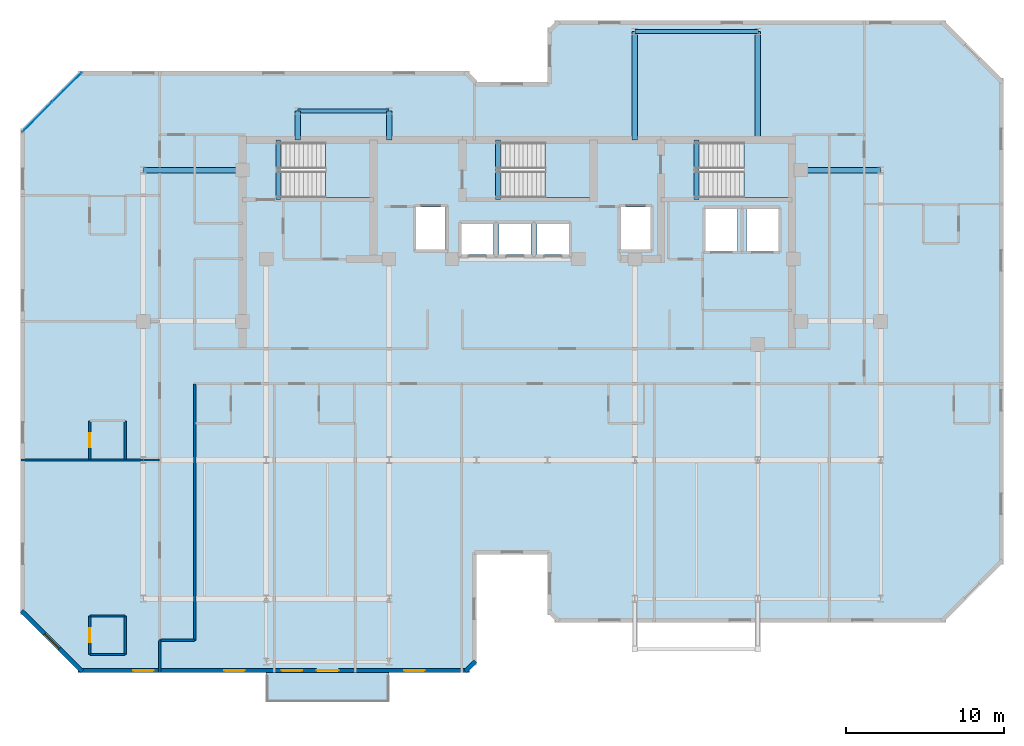
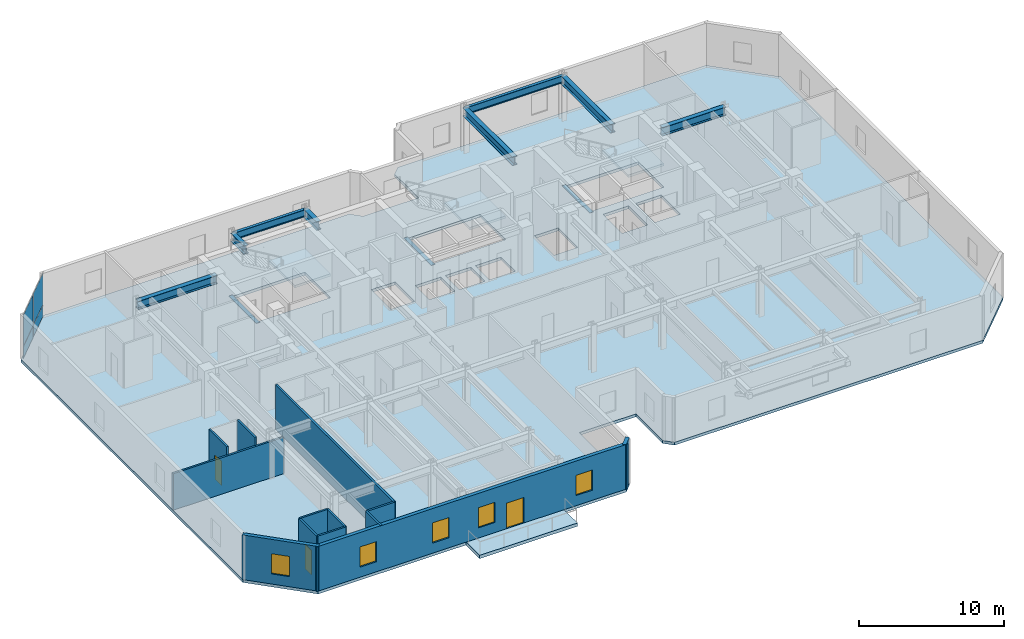
# One storey, part 3 of 10: 13 walls, 11 beams, 5 slabs, 5 windows, 4 plates, 3 doors, 8 openings, 4 elements without a shape of their own.
"""IFC4 building model written with IfcOpenShell, lengths in metres."""

from ifc_helpers import new_model, si_unit, direction, frame, frame_2d, origin, origin_2d, place, context, subcontext, project, spatial, polyline, rectangle, i_section, outline, extrude, material, layer, layer_set, material_profile, profile_set, type_object, element, fill, aggregate, save


model = new_model("IFC4")

# Units and contexts
model_context = context("Model", 3, precision=1e-05, world=origin(), true_north=direction((0.0, 1.0)))
body_context = subcontext(model_context, "Body", "Model", "MODEL_VIEW")
ifc_project = project(units=[si_unit("LENGTHUNIT", "METRE"), si_unit("AREAUNIT", "SQUARE_METRE"), si_unit("VOLUMEUNIT", "CUBIC_METRE"), si_unit("PLANEANGLEUNIT", "RADIAN"), si_unit("MASSUNIT", "GRAM", prefix="KILO")], contexts=[model_context])

# Site, building, storey
site_placement = place(None, origin())
site = spatial("IfcSite", under=ifc_project, at=site_placement, CompositionType="ELEMENT")
building_placement = place(site_placement, origin())
building = spatial("IfcBuilding", under=site, at=building_placement, Name="Kestravale Grand Hotel", CompositionType="ELEMENT")
storey_placement = place(building_placement, frame((0.0, 0.0, 281.39990234375)))
storey = spatial("IfcBuildingStorey", under=building, at=storey_placement, Name="L70", CompositionType="ELEMENT", Elevation=281.39990234375)

# Beams
ifc_material_1 = material(Name="Concrete f'c 45 MPa", Category="concrete")
ifc_material_profile_1 = material_profile(ifc_material_1, rectangle(XDim=0.300048828125, YDim=0.39990234375, at=origin_2d()))
ifc_profile_set_1 = profile_set([ifc_material_profile_1], Name="Concrete f'c 45 MPa")
beam_type_1 = type_object("IfcBeamType", Name="B-FLR-LNT400", PredefinedType="LINTEL", material=ifc_profile_set_1)
for number, where, z_axis, x_axis, name in (
    (1, (24.159912109375, 36.52001953125, -0.199951171875), (0.0, 1.0, 0.0), (-1.0, 0.0, 0.0), "L70 ST1 flight bottom header beam"),
    (2, (38.110107421875, 36.52001953125, -0.199951171875), (0.0, 1.0, 0.0), (-1.0, 0.0, 0.0), "L70 ST2 flight bottom header beam"),
    (3, (50.7099609375, 36.52001953125, -0.199951171875), (0.0, 1.0, 0.0), (-1.0, 0.0, 0.0), "L70 ST3 flight bottom header beam"),
):
    element("IfcBeam", number, at=place(storey_placement, frame(where, z_axis=z_axis, x_axis=x_axis)), inside=storey, type_object=beam_type_1, Name=name, PredefinedType="LINTEL", context=body_context, shape_type="SweptSolid", body=[
        extrude(rectangle(XDim=0.300048828125, YDim=0.39990234375, at=origin_2d()), origin(), (0.0, 0.0, 1.0), 3.800048828125),
    ])
ifc_material_2 = material(Name="Steel ASTM A992 Grade 50", Category="steel")
ifc_material_profile_2 = material_profile(ifc_material_2, i_section(OverallWidth=0.22900390625, OverallDepth=0.612060546875, WebThickness=0.011962890625, FlangeThickness=0.01953125, FilletRadius=0.019287109375, at=origin_2d()))
ifc_profile_set_2 = profile_set([ifc_material_profile_2], Name="Steel ASTM A992 Grade 50")
beam_type_2 = type_object("IfcBeamType", Name="B-FLR-W24B", PredefinedType="SPANDREL", material=ifc_profile_set_2)
beam_1_placement = place(storey_placement, frame((46.800048828125, 47.199951171875, 3.4541015625), z_axis=(1.0, 0.0, 0.0), x_axis=(0.0, 1.0, 0.0)))
element("IfcBeam", 4, at=beam_1_placement, inside=storey, type_object=beam_type_2, Name="L70 spandrel G:8-9", PredefinedType="SPANDREL", context=body_context, shape_type="SweptSolid", body=[
    extrude(i_section(OverallWidth=0.22900390625, OverallDepth=0.612060546875, WebThickness=0.011962890625, FlangeThickness=0.01953125, FilletRadius=0.019287109375, at=origin_2d()), origin(), (0.0, 0.0, 1.0), 7.800048828125),
])
beam_2_placement = place(storey_placement, frame((25.39990234375, 42.14990234375, 3.4541015625), z_axis=(1.0, 0.0, 0.0), x_axis=(0.0, 1.0, 0.0)))
element("IfcBeam", 5, at=beam_2_placement, inside=storey, type_object=beam_type_2, Name="L70 perimeter tie spandrel FN:4-5", PredefinedType="SPANDREL", context=body_context, shape_type="SweptSolid", body=[
    extrude(i_section(OverallWidth=0.22900390625, OverallDepth=0.612060546875, WebThickness=0.011962890625, FlangeThickness=0.01953125, FilletRadius=0.019287109375, at=origin_2d()), origin(), (0.0, 0.0, 1.0), 5.800048828125),
])
ifc_material_3 = material(Name="Steel ASTM A992 Grade 50", Category="steel")
ifc_material_profile_3 = material_profile(ifc_material_3, i_section(OverallWidth=0.35595703125, OverallDepth=0.696044921875, WebThickness=0.015380859375, FlangeThickness=0.02490234375, FilletRadius=0.021240234375, at=origin_2d()))
ifc_profile_set_3 = profile_set([ifc_material_profile_3], Name="Steel ASTM A992 Grade 50")
beam_type_3 = type_object("IfcBeamType", Name="B-GRD-W27", PredefinedType="BEAM", material=ifc_profile_set_3)
beam_3_placement = place(storey_placement, frame((15.60009765625, 38.39990234375, 3.412109375), z_axis=(1.0, 0.0, 0.0), x_axis=(0.0, 1.0, 0.0)))
element("IfcBeam", 6, at=beam_3_placement, inside=storey, type_object=beam_type_3, Name="L70 girder F:3-CW", PredefinedType="BEAM", context=body_context, shape_type="SweptSolid", body=[
    extrude(i_section(OverallWidth=0.35595703125, OverallDepth=0.696044921875, WebThickness=0.015380859375, FlangeThickness=0.02490234375, FilletRadius=0.021240234375, at=origin_2d()), origin(), (0.0, 0.0, 1.0), 6.2998046875),
])
beam_4_placement = place(storey_placement, frame((57.35009765625, 38.39990234375, 3.412109375), z_axis=(1.0, 0.0, 0.0), x_axis=(0.0, 1.0, 0.0)))
element("IfcBeam", 7, at=beam_4_placement, inside=storey, type_object=beam_type_3, Name="L70 girder F:CE-10", PredefinedType="BEAM", context=body_context, shape_type="SweptSolid", body=[
    extrude(i_section(OverallWidth=0.35595703125, OverallDepth=0.696044921875, WebThickness=0.015380859375, FlangeThickness=0.02490234375, FilletRadius=0.021240234375, at=origin_2d()), origin(), (0.0, 0.0, 1.0), 5.0498046875),
])
for number, where, z_axis, x_axis, name in (
    (8, (25.39990234375, 40.320068359375, 3.412109375), (0.0, 1.0, 0.0), (-1.0, 0.0, 0.0), "L70 north wing tie girder 4:CN-FN"),
    (9, (31.199951171875, 40.320068359375, 3.412109375), (0.0, 1.0, 0.0), (-1.0, 0.0, 0.0), "L70 north wing tie girder 5:CN-FN"),
):
    element("IfcBeam", number, at=place(storey_placement, frame(where, z_axis=z_axis, x_axis=x_axis)), inside=storey, type_object=beam_type_3, Name=name, PredefinedType="BEAM", context=body_context, shape_type="SweptSolid", body=[
        extrude(i_section(OverallWidth=0.35595703125, OverallDepth=0.696044921875, WebThickness=0.015380859375, FlangeThickness=0.02490234375, FilletRadius=0.021240234375, at=origin_2d()), origin(), (0.0, 0.0, 1.0), 1.829833984375),
    ])
for number, where, z_axis, x_axis, name in (
    (10, (46.800048828125, 40.320068359375, 3.412109375), (0.0, 1.0, 0.0), (-1.0, 0.0, 0.0), "L70 north wing tie girder 8:CN-G"),
    (11, (54.60009765625, 40.320068359375, 3.412109375), (0.0, 1.0, 0.0), (-1.0, 0.0, 0.0), "L70 north wing tie girder 9:CN-G"),
):
    element("IfcBeam", number, at=place(storey_placement, frame(where, z_axis=z_axis, x_axis=x_axis)), inside=storey, type_object=beam_type_3, Name=name, PredefinedType="BEAM", context=body_context, shape_type="SweptSolid", body=[
        extrude(i_section(OverallWidth=0.35595703125, OverallDepth=0.696044921875, WebThickness=0.015380859375, FlangeThickness=0.02490234375, FilletRadius=0.021240234375, at=origin_2d()), origin(), (0.0, 0.0, 1.0), 6.8798828125),
    ])

# Curtain wall, plates
ifc_material_4 = material(Name="Thermally broken champagne-bronze aluminium and low-E glazing", Category="aluminium")
ifc_layer_1 = layer(ifc_material_4, 0.179931640625)
ifc_layer_set_1 = layer_set([ifc_layer_1], Name="CW-Z4")
curtain_wall_type = type_object("IfcCurtainWallType", Name="CW-Z4", PredefinedType="NOTDEFINED", material=ifc_layer_set_1)
curtain_wall_placement = place(storey_placement, origin())
curtain_wall = element("IfcCurtainWall", 12, at=curtain_wall_placement, inside=storey, type_object=curtain_wall_type, Name="L70 unitised curtain wall 18", PredefinedType="NOTDEFINED")
ifc_material_5 = material(Name="Insulated clear low-E double glazing IGU", Category="glass")
ifc_layer_2 = layer(ifc_material_5, 0.028076171875)
ifc_layer_set_2 = layer_set([ifc_layer_2], Name="CW-PNL-28")
plate_type = type_object("IfcPlateType", Name="CW-PNL-28", PredefinedType="CURTAIN_PANEL", material=ifc_layer_set_2)
plate_1_placement = place(storey_placement, frame((10.74462890625, 43.646728515625, 0.06494140625), z_axis=(0.0, 0.0, 1.0), x_axis=(-0.707106781187, -0.707106781187, 0.0)))
plate_1 = element("IfcPlate", 13, at=plate_1_placement, type_object=plate_type, Name="CW-Z4 panel 1.1", PredefinedType="CURTAIN_PANEL", context=body_context, shape_type="SweptSolid", body=[
    extrude(rectangle(XDim=2.609619140625, YDim=0.028076171875, at=origin_2d()), origin(), (0.0, 0.0, 1.0), 0.952392578125),
])
plate_2_placement = place(storey_placement, frame((10.74462890625, 43.646728515625, 1.08251953125), z_axis=(0.0, 0.0, 1.0), x_axis=(-0.707106781187, -0.707106781187, 0.0)))
plate_2 = element("IfcPlate", 14, at=plate_2_placement, type_object=plate_type, Name="CW-Z4 panel 1.2", PredefinedType="CURTAIN_PANEL", context=body_context, shape_type="SweptSolid", body=[
    extrude(rectangle(XDim=2.609619140625, YDim=0.028076171875, at=origin_2d()), origin(), (0.0, 0.0, 1.0), 2.612548828125),
])
plate_3_placement = place(storey_placement, frame((8.853271484375, 41.75537109375, 0.06494140625), z_axis=(0.0, 0.0, 1.0), x_axis=(-0.707106781187, -0.707106781187, 0.0)))
plate_3 = element("IfcPlate", 15, at=plate_3_placement, type_object=plate_type, Name="CW-Z4 panel 2.1", PredefinedType="CURTAIN_PANEL", context=body_context, shape_type="SweptSolid", body=[
    extrude(rectangle(XDim=2.609619140625, YDim=0.028076171875, at=origin_2d()), origin(), (0.0, 0.0, 1.0), 0.952392578125),
])
plate_4_placement = place(storey_placement, frame((8.853271484375, 41.75537109375, 1.08251953125), z_axis=(0.0, 0.0, 1.0), x_axis=(-0.707106781187, -0.707106781187, 0.0)))
plate_4 = element("IfcPlate", 16, at=plate_4_placement, type_object=plate_type, Name="CW-Z4 panel 2.2", PredefinedType="CURTAIN_PANEL", context=body_context, shape_type="SweptSolid", body=[
    extrude(rectangle(XDim=2.609619140625, YDim=0.028076171875, at=origin_2d()), origin(), (0.0, 0.0, 1.0), 2.612548828125),
])
aggregate(curtain_wall, [plate_1, plate_2, plate_3, plate_4])

# Slab
ifc_material_6 = material(Name="Concrete f'c 45 MPa", Category="concrete")
ifc_layer_3 = layer(ifc_material_6, 0.27001953125)
ifc_layer_set_3 = layer_set([ifc_layer_3], Name="ES-TERR-270")
slab_type_1 = type_object("IfcSlabType", Name="ES-TERR-270", PredefinedType="FLOOR", material=ifc_layer_set_3)
slab_1_placement = place(storey_placement, frame((0.0, 0.0, -0.27001953125)))
element("IfcSlab", 17, at=slab_1_placement, inside=storey, type_object=slab_type_1, Name="L70 spiralling planted garden terrace", PredefinedType="FLOOR", context=body_context, shape_type="SweptSolid", body=[
    extrude(outline(polyline([(23.39990234375, 4.64990234375), (31.199951171875, 4.64990234375), (31.199951171875, 6.5), (23.39990234375, 6.5), (23.39990234375, 4.64990234375)])), origin(), (0.0, 0.0, 1.0), 0.27001953125),
])

# Stair, slab
ifc_material_7 = material(Name="Concrete f'c 45 MPa", Category="concrete")
stair_type = type_object("IfcStairType", Name="ST-CORE-400", PredefinedType="HALF_TURN_STAIR", material=ifc_material_7)
stair_1_placement = place(storey_placement, origin())
stair_1 = element("IfcStair", 18, at=stair_1_placement, inside=storey, type_object=stair_type, Name="L70 ST-1", PredefinedType="HALF_TURN_STAIR")
ifc_material_8 = material(Name="Concrete f'c 45 MPa", Category="concrete")
ifc_layer_4 = layer(ifc_material_8, 0.199951171875)
ifc_layer_set_4 = layer_set([ifc_layer_4], Name="SLB-ST-LND200")
slab_type_2 = type_object("IfcSlabType", Name="SLB-ST-LND200", PredefinedType="LANDING", material=ifc_layer_set_4)
slab_2_placement = place(storey_placement, frame((0.0, 0.0, 1.800048828125)))
slab_2 = element("IfcSlab", 19, at=slab_2_placement, type_object=slab_type_2, Name="ST-1 landing 1", PredefinedType="LANDING", context=body_context, shape_type="SweptSolid", body=[
    extrude(outline(polyline([(27.159912109375, 36.64990234375), (30.0, 36.64990234375), (30.0, 40.159912109375), (27.159912109375, 40.159912109375), (27.159912109375, 36.64990234375)])), origin(), (0.0, 0.0, 1.0), 0.199951171875),
])
aggregate(stair_1, [slab_2])

stair_2_placement = place(storey_placement, origin())
stair_2 = element("IfcStair", 20, at=stair_2_placement, inside=storey, type_object=stair_type, Name="L70 ST-2", PredefinedType="HALF_TURN_STAIR")
slab_3_placement = place(storey_placement, frame((0.0, 0.0, 1.800048828125)))
slab_3 = element("IfcSlab", 21, at=slab_3_placement, type_object=slab_type_2, Name="ST-2 landing 1", PredefinedType="LANDING", context=body_context, shape_type="SweptSolid", body=[
    extrude(outline(polyline([(41.110107421875, 36.64990234375), (43.949951171875, 36.64990234375), (43.949951171875, 40.159912109375), (41.110107421875, 40.159912109375), (41.110107421875, 36.64990234375)])), origin(), (0.0, 0.0, 1.0), 0.199951171875),
])
aggregate(stair_2, [slab_3])

stair_3_placement = place(storey_placement, origin())
stair_3 = element("IfcStair", 22, at=stair_3_placement, inside=storey, type_object=stair_type, Name="L70 ST-3", PredefinedType="HALF_TURN_STAIR")
slab_4_placement = place(storey_placement, frame((0.0, 0.0, 1.800048828125)))
slab_4 = element("IfcSlab", 23, at=slab_4_placement, type_object=slab_type_2, Name="ST-3 landing 1", PredefinedType="LANDING", context=body_context, shape_type="SweptSolid", body=[
    extrude(outline(polyline([(53.7099609375, 36.64990234375), (56.550048828125, 36.64990234375), (56.550048828125, 40.159912109375), (53.7099609375, 40.159912109375), (53.7099609375, 36.64990234375)])), origin(), (0.0, 0.0, 1.0), 0.199951171875),
])
aggregate(stair_3, [slab_4])

# Slab
ifc_material_9 = material(Name="Concrete f'c 45 MPa", Category="concrete")
ifc_layer_5 = layer(ifc_material_9, 0.239990234375)
ifc_layer_set_5 = layer_set([ifc_layer_5], Name="SS-FLR-240")
slab_type_3 = type_object("IfcSlabType", Name="SS-FLR-240", PredefinedType="FLOOR", material=ifc_layer_set_5)
slab_5_placement = place(storey_placement, frame((0.0, 0.0, -0.239990234375)))
element("IfcSlab", 24, at=slab_5_placement, inside=storey, type_object=slab_type_3, Name="L70 structural floor slab", PredefinedType="FLOOR", context=body_context, shape_type="SweptSolid", body=[
    extrude(outline(polyline([(11.60009765625, 6.5), (36.14990234375, 6.5), (36.75, 7.10009765625), (36.75, 14.0), (41.25, 14.0), (41.25, 10.300048828125), (41.85009765625, 9.699951171875), (66.39990234375, 9.699951171875), (70.199951171875, 13.5), (70.199951171875, 44.10009765625), (66.39990234375, 47.89990234375), (41.85009765625, 47.89990234375), (41.25, 47.300048828125), (41.25, 44.0), (36.75, 44.0), (36.75, 44.10009765625), (36.14990234375, 44.699951171875), (11.60009765625, 44.699951171875), (7.800048828125, 40.89990234375), (7.800048828125, 10.300048828125), (11.60009765625, 6.5)]), holes=[polyline([(24.080078125, 36.64990234375), (30.0, 36.64990234375), (30.0, 40.159912109375), (24.080078125, 40.159912109375), (24.080078125, 36.64990234375)]), polyline([(38.030029296875, 36.64990234375), (43.949951171875, 36.64990234375), (43.949951171875, 40.159912109375), (38.030029296875, 40.159912109375), (38.030029296875, 36.64990234375)]), polyline([(50.6298828125, 36.64990234375), (56.550048828125, 36.64990234375), (56.550048828125, 40.159912109375), (50.6298828125, 40.159912109375), (50.6298828125, 36.64990234375)]), polyline([(35.780029296875, 33.030029296875), (37.820068359375, 33.030029296875), (37.820068359375, 34.969970703125), (35.780029296875, 34.969970703125), (35.780029296875, 33.030029296875)]), polyline([(38.179931640625, 33.030029296875), (40.219970703125, 33.030029296875), (40.219970703125, 34.969970703125), (38.179931640625, 34.969970703125), (38.179931640625, 33.030029296875)]), polyline([(40.580078125, 33.030029296875), (42.6201171875, 33.030029296875), (42.6201171875, 34.969970703125), (40.580078125, 34.969970703125), (40.580078125, 33.030029296875)]), polyline([(32.905029296875, 33.35498046875), (34.794921875, 33.35498046875), (34.794921875, 36.044921875), (32.905029296875, 36.044921875), (32.905029296875, 33.35498046875)]), polyline([(45.905029296875, 33.35498046875), (47.794921875, 33.35498046875), (47.794921875, 36.044921875), (45.905029296875, 36.044921875), (45.905029296875, 33.35498046875)]), polyline([(51.280029296875, 33.280029296875), (53.320068359375, 33.280029296875), (53.320068359375, 35.919921875), (51.280029296875, 35.919921875), (51.280029296875, 33.280029296875)]), polyline([(53.8798828125, 33.280029296875), (55.919921875, 33.280029296875), (55.919921875, 35.919921875), (53.8798828125, 35.919921875), (53.8798828125, 33.280029296875)])]), origin(), (0.0, 0.0, 1.0), 0.239990234375),
])

# Wall, openings, door, windows
ifc_material_10 = material(Name="Precast concrete f'c 45 MPa", Category="concrete")
ifc_layer_6 = layer(ifc_material_10, 0.280029296875)
ifc_layer_set_6 = layer_set([ifc_layer_6], Name="EW-PREC-280")
wall_type_1 = type_object("IfcWallType", Name="EW-PREC-280", PredefinedType="SOLIDWALL", material=ifc_layer_set_6)
wall_1_placement = place(storey_placement, frame((11.4599609375, 6.639892578125, 0.0), z_axis=(0.0, 0.0, 1.0), x_axis=(1.0, 0.0, 0.0)))
wall_1 = element("IfcWall", 25, at=wall_1_placement, inside=storey, type_object=wall_type_1, Name="L70 fluted precast facade wall 1", PredefinedType="SOLIDWALL", context=body_context, shape_type="SweptSolid", body=[
    extrude(rectangle(XDim=24.830078125, YDim=0.280029296875, at=frame_2d((12.4150390625, 0.0))), origin(), (0.0, 0.0, 1.0), 3.760009765625),
])
opening_1_placement = place(wall_1_placement, frame((15.139892578125, 0.0, 0.0)))
opening_1 = element("IfcOpeningElement", 26, at=opening_1_placement, cuts=wall_1, Name="Opening D-TERR-1400", PredefinedType="OPENING", context=body_context, shape_type="SweptSolid", body=[
    extrude(rectangle(XDim=1.39990234375, YDim=2.14990234375, at=frame_2d((0.699951171875, 1.074951171875))), frame((0.0, 0.14990234375, 0.0), z_axis=(0.0, -1.0, 0.0), x_axis=(1.0, 0.0, 0.0)), (0.0, 0.0, 1.0), 0.300048828125),
])
opening_2_placement = place(wall_1_placement, frame((3.48828125, 0.0, 0.85009765625)))
opening_2 = element("IfcOpeningElement", 27, at=opening_2_placement, cuts=wall_1, Name="Opening W-GUEST-1300", PredefinedType="OPENING", context=body_context, shape_type="SweptSolid", body=[
    extrude(rectangle(XDim=1.300048828125, YDim=1.699951171875, at=frame_2d((0.64990234375, 0.85009765625))), frame((0.0, 0.14990234375, 0.0), z_axis=(0.0, -1.0, 0.0), x_axis=(1.0, 0.0, 0.0)), (0.0, 0.0, 1.0), 0.300048828125),
])
opening_3_placement = place(wall_1_placement, frame((12.9150390625, 0.0, 0.85009765625)))
opening_3 = element("IfcOpeningElement", 28, at=opening_3_placement, cuts=wall_1, Name="Opening W-GUEST-1300", PredefinedType="OPENING", context=body_context, shape_type="SweptSolid", body=[
    extrude(rectangle(XDim=1.300048828125, YDim=1.699951171875, at=frame_2d((0.64990234375, 0.85009765625))), frame((0.0, 0.14990234375, 0.0), z_axis=(0.0, -1.0, 0.0), x_axis=(1.0, 0.0, 0.0)), (0.0, 0.0, 1.0), 0.300048828125),
])
opening_4_placement = place(wall_1_placement, frame((20.691650390625, 0.0, 0.85009765625)))
opening_4 = element("IfcOpeningElement", 29, at=opening_4_placement, cuts=wall_1, Name="Opening W-GUEST-1300", PredefinedType="OPENING", context=body_context, shape_type="SweptSolid", body=[
    extrude(rectangle(XDim=1.300048828125, YDim=1.699951171875, at=frame_2d((0.64990234375, 0.85009765625))), frame((0.0, 0.14990234375, 0.0), z_axis=(0.0, -1.0, 0.0), x_axis=(1.0, 0.0, 0.0)), (0.0, 0.0, 1.0), 0.300048828125),
])
opening_5_placement = place(wall_1_placement, frame((9.27490234375, 0.0, 0.85009765625)))
opening_5 = element("IfcOpeningElement", 30, at=opening_5_placement, cuts=wall_1, Name="Opening W-GUEST-1300", PredefinedType="OPENING", context=body_context, shape_type="SweptSolid", body=[
    extrude(rectangle(XDim=1.300048828125, YDim=1.699951171875, at=frame_2d((0.64990234375, 0.85009765625))), frame((0.0, 0.14990234375, 0.0), z_axis=(0.0, -1.0, 0.0), x_axis=(1.0, 0.0, 0.0)), (0.0, 0.0, 1.0), 0.300048828125),
])
ifc_material_11 = material(Name="Insulated glazed champagne-bronze aluminium door", Category="aluminium")
door_type_1 = type_object("IfcDoorType", Name="D-TERR-1400", OperationType="NOTDEFINED", PredefinedType="DOOR", material=ifc_material_11)
door_1_placement = place(opening_1_placement, origin())
door_1 = element("IfcDoor", 31, at=door_1_placement, inside=storey, type_object=door_type_1, Name="L70 outdoor garden terrace door", OperationType="DOUBLE_DOOR_SINGLE_SWING", OverallHeight=2.14990234375, OverallWidth=1.39990234375, PredefinedType="DOOR", context=body_context, shape_type="SweptSolid", body=[
    extrude(rectangle(XDim=1.39990234375, YDim=2.14990234375, at=frame_2d((0.699951171875, 1.074951171875))), frame((0.0, 0.02490234375, 0.0), z_axis=(0.0, -1.0, 0.0), x_axis=(1.0, 0.0, 0.0)), (0.0, 0.0, 1.0), 0.050048828125),
])
fill(opening_1, door_1)
ifc_material_12 = material(Name="Insulated low-E double glazing in aluminium frame", Category="aluminium")
window_type = type_object("IfcWindowType", Name="W-GUEST-1300", PartitioningType="SINGLE_PANEL", PredefinedType="WINDOW", material=ifc_material_12)
window_1_placement = place(opening_2_placement, origin())
window_1 = element("IfcWindow", 32, at=window_1_placement, inside=storey, type_object=window_type, Name="L70 exterior window 1.1", OverallHeight=1.699951171875, OverallWidth=1.300048828125, PartitioningType="SINGLE_PANEL", PredefinedType="WINDOW", context=body_context, shape_type="SweptSolid", body=[
    extrude(rectangle(XDim=1.300048828125, YDim=1.699951171875, at=frame_2d((0.64990234375, 0.85009765625))), frame((0.0, 0.030029296875, 0.0), z_axis=(0.0, -1.0, 0.0), x_axis=(1.0, 0.0, 0.0)), (0.0, 0.0, 1.0), 0.06005859375),
])
fill(opening_2, window_1)
window_2_placement = place(opening_3_placement, origin())
window_2 = element("IfcWindow", 33, at=window_2_placement, inside=storey, type_object=window_type, Name="L70 exterior window 1.2", OverallHeight=1.699951171875, OverallWidth=1.300048828125, PartitioningType="SINGLE_PANEL", PredefinedType="WINDOW", context=body_context, shape_type="SweptSolid", body=[
    extrude(rectangle(XDim=1.300048828125, YDim=1.699951171875, at=frame_2d((0.64990234375, 0.85009765625))), frame((0.0, 0.030029296875, 0.0), z_axis=(0.0, -1.0, 0.0), x_axis=(1.0, 0.0, 0.0)), (0.0, 0.0, 1.0), 0.06005859375),
])
fill(opening_3, window_2)
window_3_placement = place(opening_4_placement, origin())
window_3 = element("IfcWindow", 34, at=window_3_placement, inside=storey, type_object=window_type, Name="L70 exterior window 1.3", OverallHeight=1.699951171875, OverallWidth=1.300048828125, PartitioningType="SINGLE_PANEL", PredefinedType="WINDOW", context=body_context, shape_type="SweptSolid", body=[
    extrude(rectangle(XDim=1.300048828125, YDim=1.699951171875, at=frame_2d((0.64990234375, 0.85009765625))), frame((0.0, 0.030029296875, 0.0), z_axis=(0.0, -1.0, 0.0), x_axis=(1.0, 0.0, 0.0)), (0.0, 0.0, 1.0), 0.06005859375),
])
fill(opening_4, window_3)
window_4_placement = place(opening_5_placement, origin())
window_4 = element("IfcWindow", 35, at=window_4_placement, inside=storey, type_object=window_type, Name="L70 guestroom envelope window 1", OverallHeight=1.699951171875, OverallWidth=1.300048828125, PartitioningType="SINGLE_PANEL", PredefinedType="WINDOW", context=body_context, shape_type="SweptSolid", body=[
    extrude(rectangle(XDim=1.300048828125, YDim=1.699951171875, at=frame_2d((0.64990234375, 0.85009765625))), frame((0.0, 0.030029296875, 0.0), z_axis=(0.0, -1.0, 0.0), x_axis=(1.0, 0.0, 0.0)), (0.0, 0.0, 1.0), 0.06005859375),
])
fill(opening_5, window_4)

# Wall
wall_2_placement = place(storey_placement, frame((36.022705078125, 6.57080078125, 0.0), z_axis=(0.0, 0.0, 1.0), x_axis=(0.707106781187, 0.707106781187, 0.0)))
element("IfcWall", 36, at=wall_2_placement, inside=storey, type_object=wall_type_1, Name="L70 fluted precast facade wall 2", PredefinedType="SOLIDWALL", context=body_context, shape_type="SweptSolid", body=[
    extrude(rectangle(XDim=0.928466796875, YDim=0.280029296875, at=frame_2d((0.46435546875, 0.0))), origin(), (0.0, 0.0, 1.0), 3.760009765625),
])

# Wall, opening, window
wall_3_placement = place(storey_placement, frame((7.87060546875, 10.42724609375, 0.0), z_axis=(0.0, 0.0, 1.0), x_axis=(0.707129162587, -0.707084399077, 0.0)))
wall_3 = element("IfcWall", 37, at=wall_3_placement, inside=storey, type_object=wall_type_1, Name="L70 fluted precast facade wall 20", PredefinedType="SOLIDWALL", context=body_context, shape_type="SweptSolid", body=[
    extrude(rectangle(XDim=5.4541015625, YDim=0.280029296875, at=frame_2d((2.72705078125, 0.0))), origin(), (0.0, 0.0, 1.0), 3.760009765625),
])
opening_6_placement = place(wall_3_placement, frame((2.076904296875, 0.0, 0.85009765625)))
opening_6 = element("IfcOpeningElement", 38, at=opening_6_placement, cuts=wall_3, Name="Opening W-GUEST-1300", PredefinedType="OPENING", context=body_context, shape_type="SweptSolid", body=[
    extrude(rectangle(XDim=1.300048828125, YDim=1.699951171875, at=frame_2d((0.64990234375, 0.85009765625))), frame((0.0, 0.14990234375, 0.0), z_axis=(0.0, -1.0, 0.0), x_axis=(1.0, 0.0, 0.0)), (0.0, 0.0, 1.0), 0.300048828125),
])
window_5_placement = place(opening_6_placement, origin())
window_5 = element("IfcWindow", 39, at=window_5_placement, inside=storey, type_object=window_type, Name="L70 exterior window 20.1", OverallHeight=1.699951171875, OverallWidth=1.300048828125, PartitioningType="SINGLE_PANEL", PredefinedType="WINDOW", context=body_context, shape_type="SweptSolid", body=[
    extrude(rectangle(XDim=1.300048828125, YDim=1.699951171875, at=frame_2d((0.64990234375, 0.85009765625))), frame((0.0, 0.030029296875, 0.0), z_axis=(0.0, -1.0, 0.0), x_axis=(1.0, 0.0, 0.0)), (0.0, 0.0, 1.0), 0.06005859375),
])
fill(opening_6, window_5)

# Wall
ifc_material_13 = material(Name="Acoustic fire-rated gypsum board partition", Category="other")
ifc_layer_7 = layer(ifc_material_13, 0.159912109375)
ifc_layer_set_7 = layer_set([ifc_layer_7], Name="IW-CORR-160")
wall_type_2 = type_object("IfcWallType", Name="IW-CORR-160", PredefinedType="PARTITIONING", material=ifc_layer_set_7)
wall_4_placement = place(storey_placement, frame((18.860107421875, 8.550048828125, 0.0), z_axis=(0.0, 0.0, 1.0), x_axis=(0.0, 1.0, 0.0)))
element("IfcWall", 40, at=wall_4_placement, inside=storey, type_object=wall_type_2, Name="W-L70-SW-E", PredefinedType="PARTITIONING", context=body_context, shape_type="SweptSolid", body=[
    extrude(rectangle(XDim=16.2900390625, YDim=0.159912109375, at=frame_2d((8.14501953125, 0.0))), origin(), (0.0, 0.0, 1.0), 3.760009765625),
])

# Wall, opening, door
ifc_material_14 = material(Name="Moisture-resistant tile-backer plumbing chase wall", Category="other")
ifc_layer_8 = layer(ifc_material_14, 0.139892578125)
ifc_layer_set_8 = layer_set([ifc_layer_8], Name="IW-PLB-140")
wall_type_3 = type_object("IfcWallType", Name="IW-PLB-140", PredefinedType="PLUMBINGWALL", material=ifc_layer_set_8)
wall_5_placement = place(storey_placement, frame((12.199951171875, 7.64990234375, 0.0), z_axis=(0.0, 0.0, 1.0), x_axis=(0.0, 1.0, 0.0)))
wall_5 = element("IfcWall", 41, at=wall_5_placement, inside=storey, type_object=wall_type_3, Name="W-L70-U04-BW", PredefinedType="PLUMBINGWALL", context=body_context, shape_type="SweptSolid", body=[
    extrude(rectangle(XDim=2.4501953125, YDim=0.139892578125, at=frame_2d((1.22509765625, 0.0))), origin(), (0.0, 0.0, 1.0), 3.760009765625),
])
opening_7_placement = place(wall_5_placement, frame((0.784912109375, 0.0, 0.0)))
opening_7 = element("IfcOpeningElement", 42, at=opening_7_placement, cuts=wall_5, Name="Opening D-BATH-880", PredefinedType="OPENING", context=body_context, shape_type="SweptSolid", body=[
    extrude(rectangle(XDim=0.8798828125, YDim=2.050048828125, at=frame_2d((0.43994140625, 1.02490234375))), frame((0.0, 0.079833984375, 0.0), z_axis=(0.0, -1.0, 0.0), x_axis=(1.0, 0.0, 0.0)), (0.0, 0.0, 1.0), 0.159912109375),
])
ifc_material_15 = material(Name="Moisture-sealed walnut en-suite bathroom door", Category="wood")
door_type_2 = type_object("IfcDoorType", Name="D-BATH-880", OperationType="NOTDEFINED", PredefinedType="DOOR", material=ifc_material_15)
door_2_placement = place(opening_7_placement, origin())
door_2 = element("IfcDoor", 43, at=door_2_placement, inside=storey, type_object=door_type_2, Name="D-L70-U04-BATH", OperationType="SINGLE_SWING_RIGHT", OverallHeight=2.050048828125, OverallWidth=0.8798828125, PredefinedType="DOOR", context=body_context, shape_type="SweptSolid", body=[
    extrude(rectangle(XDim=0.8798828125, YDim=2.050048828125, at=frame_2d((0.43994140625, 1.02490234375))), frame((0.0, 0.02490234375, 0.0), z_axis=(0.0, -1.0, 0.0), x_axis=(1.0, 0.0, 0.0)), (0.0, 0.0, 1.0), 0.050048828125),
])
fill(opening_7, door_2)

# Walls
wall_6_placement = place(storey_placement, frame((14.449951171875, 7.64990234375, 0.0), z_axis=(0.0, 0.0, 1.0), x_axis=(0.0, 1.0, 0.0)))
element("IfcWall", 44, at=wall_6_placement, inside=storey, type_object=wall_type_3, Name="W-L70-U04-BE", PredefinedType="PLUMBINGWALL", context=body_context, shape_type="SweptSolid", body=[
    extrude(rectangle(XDim=2.4501953125, YDim=0.139892578125, at=frame_2d((1.22509765625, 0.0))), origin(), (0.0, 0.0, 1.0), 3.760009765625),
])
for number, where, z_axis, x_axis, name in (
    (45, (12.199951171875, 7.64990234375, 0.0), (0.0, 0.0, 1.0), (1.0, 0.0, 0.0), "W-L70-U04-BS"),
    (46, (12.199951171875, 10.10009765625, 0.0), (0.0, 0.0, 1.0), (1.0, 0.0, 0.0), "W-L70-U04-BN"),
):
    element("IfcWall", number, at=place(storey_placement, frame(where, z_axis=z_axis, x_axis=x_axis)), inside=storey, type_object=wall_type_3, Name=name, PredefinedType="PLUMBINGWALL", context=body_context, shape_type="SweptSolid", body=[
        extrude(rectangle(XDim=2.25, YDim=0.139892578125, at=frame_2d((1.125, 0.0))), origin(), (0.0, 0.0, 1.0), 3.760009765625),
    ])

# Wall, opening, door
wall_7_placement = place(storey_placement, frame((12.199951171875, 20.0400390625, 0.0), z_axis=(0.0, 0.0, 1.0), x_axis=(0.0, 1.0, 0.0)))
wall_7 = element("IfcWall", 47, at=wall_7_placement, inside=storey, type_object=wall_type_3, Name="W-L70-U05-BW", PredefinedType="PLUMBINGWALL", context=body_context, shape_type="SweptSolid", body=[
    extrude(rectangle(XDim=2.449951171875, YDim=0.139892578125, at=frame_2d((1.22509765625, 0.0))), origin(), (0.0, 0.0, 1.0), 3.760009765625),
])
opening_8_placement = place(wall_7_placement, frame((0.784912109375, 0.0, 0.0)))
opening_8 = element("IfcOpeningElement", 48, at=opening_8_placement, cuts=wall_7, Name="Opening D-BATH-880", PredefinedType="OPENING", context=body_context, shape_type="SweptSolid", body=[
    extrude(rectangle(XDim=0.8798828125, YDim=2.050048828125, at=frame_2d((0.43994140625, 1.02490234375))), frame((0.0, 0.079833984375, 0.0), z_axis=(0.0, -1.0, 0.0), x_axis=(1.0, 0.0, 0.0)), (0.0, 0.0, 1.0), 0.159912109375),
])
door_3_placement = place(opening_8_placement, origin())
door_3 = element("IfcDoor", 49, at=door_3_placement, inside=storey, type_object=door_type_2, Name="D-L70-U05-BATH", OperationType="SINGLE_SWING_RIGHT", OverallHeight=2.050048828125, OverallWidth=0.8798828125, PredefinedType="DOOR", context=body_context, shape_type="SweptSolid", body=[
    extrude(rectangle(XDim=0.8798828125, YDim=2.050048828125, at=frame_2d((0.43994140625, 1.02490234375))), frame((0.0, 0.02490234375, 0.0), z_axis=(0.0, -1.0, 0.0), x_axis=(1.0, 0.0, 0.0)), (0.0, 0.0, 1.0), 0.050048828125),
])
fill(opening_8, door_3)

# Walls
wall_8_placement = place(storey_placement, frame((14.449951171875, 20.0400390625, 0.0), z_axis=(0.0, 0.0, 1.0), x_axis=(0.0, 1.0, 0.0)))
element("IfcWall", 50, at=wall_8_placement, inside=storey, type_object=wall_type_3, Name="W-L70-U05-BE", PredefinedType="PLUMBINGWALL", context=body_context, shape_type="SweptSolid", body=[
    extrude(rectangle(XDim=2.449951171875, YDim=0.139892578125, at=frame_2d((1.22509765625, 0.0))), origin(), (0.0, 0.0, 1.0), 3.760009765625),
])
ifc_material_16 = material(Name="Double-stud STC 52 acoustic demising partition", Category="other")
ifc_layer_9 = layer(ifc_material_16, 0.14990234375)
ifc_layer_set_9 = layer_set([ifc_layer_9], Name="IW-UNIT-150")
wall_type_4 = type_object("IfcWallType", Name="IW-UNIT-150", PredefinedType="PARTITIONING", material=ifc_layer_set_9)
wall_9_placement = place(storey_placement, frame((16.639892578125, 8.550048828125, 0.0), z_axis=(0.0, 0.0, 1.0), x_axis=(1.0, 0.0, 0.0)))
element("IfcWall", 51, at=wall_9_placement, inside=storey, type_object=wall_type_4, Name="W-L70-SW-S", PredefinedType="PARTITIONING", context=body_context, shape_type="SweptSolid", body=[
    extrude(rectangle(XDim=2.22021484375, YDim=0.14990234375, at=frame_2d((1.110107421875, 0.0))), origin(), (0.0, 0.0, 1.0), 3.760009765625),
])
wall_10_placement = place(storey_placement, frame((16.639892578125, 6.52001953125, 0.0), z_axis=(0.0, 0.0, 1.0), x_axis=(0.0, 1.0, 0.0)))
element("IfcWall", 52, at=wall_10_placement, inside=storey, type_object=wall_type_4, Name="W-L70-SW-EXT", PredefinedType="PARTITIONING", context=body_context, shape_type="SweptSolid", body=[
    extrude(rectangle(XDim=2.030029296875, YDim=0.14990234375, at=frame_2d((1.01513671875, 0.0))), origin(), (0.0, 0.0, 1.0), 3.760009765625),
])
wall_11_placement = place(storey_placement, frame((7.820068359375, 20.0, 0.0), z_axis=(0.0, 0.0, 1.0), x_axis=(1.0, 0.0, 0.0)))
element("IfcWall", 53, at=wall_11_placement, inside=storey, type_object=wall_type_4, Name="W-L70-WW-1", PredefinedType="PARTITIONING", context=body_context, shape_type="SweptSolid", body=[
    extrude(rectangle(XDim=8.81982421875, YDim=0.14990234375, at=frame_2d((4.409912109375, 0.0))), origin(), (0.0, 0.0, 1.0), 3.064208984375),
])

save(model, "model.ifc")
